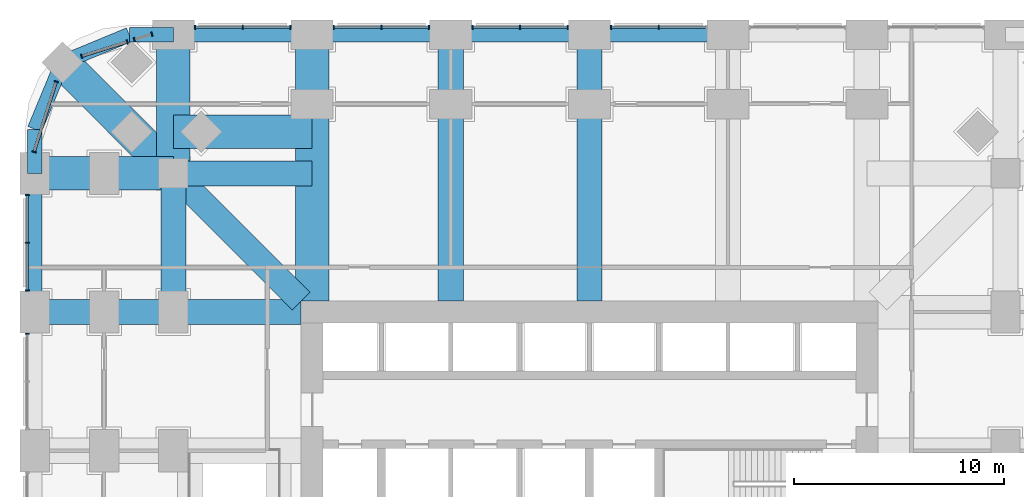
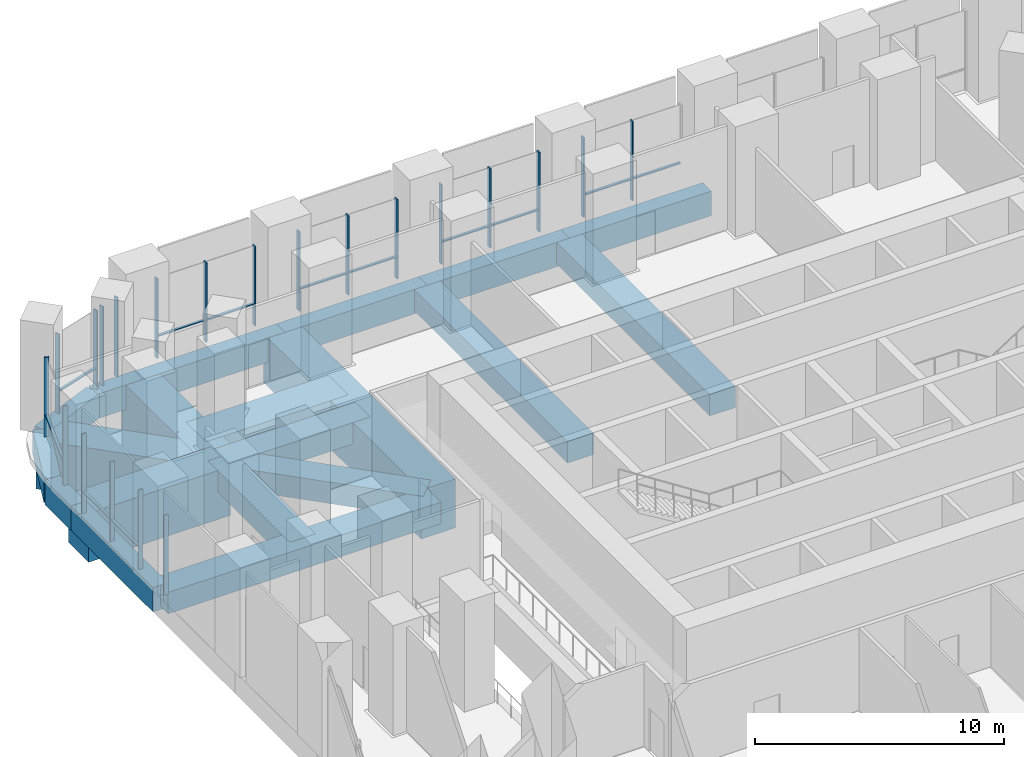
# One storey, part 5 of 17: 33 members, 20 beams, 9 elements without a shape of their own.
"""IFC4 building model written with IfcOpenShell, lengths in metres."""

from ifc_helpers import new_model, si_unit, direction, frame, origin, origin_2d, place, context, subcontext, project, spatial, rectangle, extrude, material, material_profile, profile_set, type_object, element, aggregate, save


model = new_model("IFC4")

# Units and contexts
model_context = context("Model", 3, precision=1e-05, world=origin(), true_north=direction((0.0, 1.0)))
body_context = subcontext(model_context, "Body", "Model", "MODEL_VIEW")
ifc_project = project(units=[si_unit("LENGTHUNIT", "METRE"), si_unit("AREAUNIT", "SQUARE_METRE"), si_unit("VOLUMEUNIT", "CUBIC_METRE"), si_unit("PLANEANGLEUNIT", "RADIAN"), si_unit("MASSUNIT", "GRAM", prefix="KILO")], contexts=[model_context])

# Site, building, storey
site_placement = place(None, origin())
site = spatial("IfcSite", under=ifc_project, at=site_placement, CompositionType="ELEMENT")
building_placement = place(site_placement, origin())
building = spatial("IfcBuilding", under=site, at=building_placement, Name="Cobogo Forest Laboratory Tower", CompositionType="ELEMENT")
storey_placement = place(building_placement, frame((0.0, 0.0, 7.199951171875)))
storey = spatial("IfcBuildingStorey", under=building, at=storey_placement, Name="L01", CompositionType="ELEMENT", Elevation=7.199951171875)

# Beams
ifc_material_1 = material(Name="Concrete HA-40 (C40/50)", Category="concrete")
ifc_material_profile_1 = material_profile(ifc_material_1, rectangle(XDim=1.199951171875, YDim=1.050048828125, at=origin_2d()), Name="RC 1200x1050")
ifc_profile_set_1 = profile_set([ifc_material_profile_1], Name="Concrete HA-40 (C40/50)")
beam_type_1 = type_object("IfcBeamType", Name="Laboratory floor wide beam 1200x1050", PredefinedType="BEAM", material=ifc_profile_set_1)
for number, where, z_axis, x_axis, name in (
    (1, (19.800048828125, 33.52490234375, -0.824951171875), (0.0, 1.0, 0.0), (-1.0, 0.0, 0.0), "RB1 R-4-N L01"),
    (2, (26.39990234375, 33.52490234375, -0.824951171875), (0.0, 1.0, 0.0), (-1.0, 0.0, 0.0), "RB1 R-5-N L01"),
    (3, (12.675048828125, 33.0, -0.824951171875), (-1.0, 0.0, 0.0), (0.0, -1.0, 0.0), "RB1 R-F-W L01"),
):
    element("IfcBeam", number, at=place(storey_placement, frame(where, z_axis=z_axis, x_axis=x_axis)), inside=storey, type_object=beam_type_1, Name=name, PredefinedType="BEAM", context=body_context, shape_type="SweptSolid", body=[
        extrude(rectangle(XDim=1.199951171875, YDim=1.050048828125, at=origin_2d()), origin(), (0.0, 0.0, 1.0), 12.675048828125),
    ])
beam_1_placement = place(storey_placement, frame((6.60009765625, 39.60009765625, -0.824951171875), z_axis=(0.0, -1.0, 0.0), x_axis=(1.0, 0.0, 0.0)))
element("IfcBeam", 4, at=beam_1_placement, inside=storey, type_object=beam_type_1, Name="RB1 G-NW-XC L01", PredefinedType="BEAM", context=body_context, shape_type="SweptSolid", body=[
    extrude(rectangle(XDim=1.199951171875, YDim=1.050048828125, at=origin_2d()), origin(), (0.0, 0.0, 1.0), 6.60009765625),
])
beam_2_placement = place(storey_placement, frame((6.60009765625, 39.60009765625, -0.824951171875), z_axis=(1.0, 0.0, 0.0), x_axis=(0.0, 1.0, 0.0)))
element("IfcBeam", 5, at=beam_2_placement, inside=storey, type_object=beam_type_1, Name="RB1 G-NW-YC L01", PredefinedType="BEAM", context=body_context, shape_type="SweptSolid", body=[
    extrude(rectangle(XDim=1.199951171875, YDim=1.050048828125, at=origin_2d()), origin(), (0.0, 0.0, 1.0), 6.599853515625),
])
beam_3_placement = place(storey_placement, frame((6.60009765625, 39.60009765625, -0.824951171875), z_axis=(0.707092572697, -0.70712098939, 0.0), x_axis=(0.70712098939, 0.707092572697, 0.0)))
element("IfcBeam", 6, at=beam_3_placement, inside=storey, type_object=beam_type_1, Name="RB1 G-NW-D2 L01", PredefinedType="BEAM", context=body_context, shape_type="SweptSolid", body=[
    extrude(rectangle(XDim=1.199951171875, YDim=1.050048828125, at=origin_2d()), origin(), (0.0, 0.0, 1.0), 8.591552734375),
])

# Curtain wall, members
ifc_material_2 = material(Name="Aluminium curtain wall", Category="aluminium")
curtain_wall_type = type_object("IfcCurtainWallType", Name="CW-K stick curtain wall, podium laboratories", PredefinedType="USERDEFINED", material=ifc_material_2)
curtain_wall_1_placement = place(storey_placement, origin())
curtain_wall_1 = element("IfcCurtainWall", 7, at=curtain_wall_1_placement, inside=storey, type_object=curtain_wall_type, Name="Curtain wall 20 L01", ObjectType="STICK CURTAIN WALL", PredefinedType="USERDEFINED")
ifc_material_3 = material(Name="Aluminium mullion", Category="aluminium")
ifc_material_profile_2 = material_profile(ifc_material_3, rectangle(XDim=0.06005859375, YDim=0.199951171875, at=origin_2d()), Name="AL 60x200")
ifc_profile_set_2 = profile_set([ifc_material_profile_2], Name="Aluminium mullion")
member_type_1 = type_object("IfcMemberType", Name="MU-2 aluminium mullion 60x200", PredefinedType="MULLION", material=ifc_profile_set_2)
member_1_placement = place(storey_placement, frame((29.699951171875, 46.550048828125, 0.0), z_axis=(0.0, 0.0, 1.0), x_axis=(-1.0, 0.0, 0.0)))
member_1 = element("IfcMember", 8, at=member_1_placement, type_object=member_type_1, Name="CW-K mullion 2", PredefinedType="MULLION", context=body_context, shape_type="SweptSolid", body=[
    extrude(rectangle(XDim=0.06005859375, YDim=0.199951171875, at=origin_2d()), origin(), (0.0, 0.0, 1.0), 3.900146484375),
])
member_2_placement = place(storey_placement, frame((27.429931640625, 46.550048828125, 0.0), z_axis=(0.0, 0.0, 1.0), x_axis=(-1.0, 0.0, 0.0)))
member_2 = element("IfcMember", 9, at=member_2_placement, type_object=member_type_1, Name="CW-K mullion 3", PredefinedType="MULLION", context=body_context, shape_type="SweptSolid", body=[
    extrude(rectangle(XDim=0.06005859375, YDim=0.199951171875, at=origin_2d()), origin(), (0.0, 0.0, 1.0), 3.900146484375),
])

curtain_wall_2_placement = place(storey_placement, origin())
curtain_wall_2 = element("IfcCurtainWall", 10, at=curtain_wall_2_placement, inside=storey, type_object=curtain_wall_type, Name="Curtain wall 21 L01", ObjectType="STICK CURTAIN WALL", PredefinedType="USERDEFINED")
member_3_placement = place(storey_placement, frame((25.3701171875, 46.550048828125, 0.0), z_axis=(0.0, 0.0, 1.0), x_axis=(-1.0, 0.0, 0.0)))
member_3 = element("IfcMember", 11, at=member_3_placement, type_object=member_type_1, Name="CW-K mullion 1", PredefinedType="MULLION", context=body_context, shape_type="SweptSolid", body=[
    extrude(rectangle(XDim=0.06005859375, YDim=0.199951171875, at=origin_2d()), origin(), (0.0, 0.0, 1.0), 3.900146484375),
])
member_4_placement = place(storey_placement, frame((23.10009765625, 46.550048828125, 0.0), z_axis=(0.0, 0.0, 1.0), x_axis=(-1.0, 0.0, 0.0)))
member_4 = element("IfcMember", 12, at=member_4_placement, type_object=member_type_1, Name="CW-K mullion 2", PredefinedType="MULLION", context=body_context, shape_type="SweptSolid", body=[
    extrude(rectangle(XDim=0.06005859375, YDim=0.199951171875, at=origin_2d()), origin(), (0.0, 0.0, 1.0), 3.900146484375),
])
member_5_placement = place(storey_placement, frame((20.830078125, 46.550048828125, 0.0), z_axis=(0.0, 0.0, 1.0), x_axis=(-1.0, 0.0, 0.0)))
member_5 = element("IfcMember", 13, at=member_5_placement, type_object=member_type_1, Name="CW-K mullion 3", PredefinedType="MULLION", context=body_context, shape_type="SweptSolid", body=[
    extrude(rectangle(XDim=0.06005859375, YDim=0.199951171875, at=origin_2d()), origin(), (0.0, 0.0, 1.0), 3.900146484375),
])

curtain_wall_3_placement = place(storey_placement, origin())
curtain_wall_3 = element("IfcCurtainWall", 14, at=curtain_wall_3_placement, inside=storey, type_object=curtain_wall_type, Name="Curtain wall 22 L01", ObjectType="STICK CURTAIN WALL", PredefinedType="USERDEFINED")
member_6_placement = place(storey_placement, frame((18.77001953125, 46.550048828125, 0.0), z_axis=(0.0, 0.0, 1.0), x_axis=(-1.0, 0.0, 0.0)))
member_6 = element("IfcMember", 15, at=member_6_placement, type_object=member_type_1, Name="CW-K mullion 1", PredefinedType="MULLION", context=body_context, shape_type="SweptSolid", body=[
    extrude(rectangle(XDim=0.06005859375, YDim=0.199951171875, at=origin_2d()), origin(), (0.0, 0.0, 1.0), 3.900146484375),
])
member_7_placement = place(storey_placement, frame((16.5, 46.550048828125, 0.0), z_axis=(0.0, 0.0, 1.0), x_axis=(-1.0, 0.0, 0.0)))
member_7 = element("IfcMember", 16, at=member_7_placement, type_object=member_type_1, Name="CW-K mullion 2", PredefinedType="MULLION", context=body_context, shape_type="SweptSolid", body=[
    extrude(rectangle(XDim=0.06005859375, YDim=0.199951171875, at=origin_2d()), origin(), (0.0, 0.0, 1.0), 3.900146484375),
])
member_8_placement = place(storey_placement, frame((14.22998046875, 46.550048828125, 0.0), z_axis=(0.0, 0.0, 1.0), x_axis=(-1.0, 0.0, 0.0)))
member_8 = element("IfcMember", 17, at=member_8_placement, type_object=member_type_1, Name="CW-K mullion 3", PredefinedType="MULLION", context=body_context, shape_type="SweptSolid", body=[
    extrude(rectangle(XDim=0.06005859375, YDim=0.199951171875, at=origin_2d()), origin(), (0.0, 0.0, 1.0), 3.900146484375),
])

curtain_wall_4_placement = place(storey_placement, origin())
curtain_wall_4 = element("IfcCurtainWall", 18, at=curtain_wall_4_placement, inside=storey, type_object=curtain_wall_type, Name="Curtain wall 23 L01", ObjectType="STICK CURTAIN WALL", PredefinedType="USERDEFINED")
member_9_placement = place(storey_placement, frame((12.169921875, 46.550048828125, 0.0), z_axis=(0.0, 0.0, 1.0), x_axis=(-1.0, 0.0, 0.0)))
member_9 = element("IfcMember", 19, at=member_9_placement, type_object=member_type_1, Name="CW-K mullion 1", PredefinedType="MULLION", context=body_context, shape_type="SweptSolid", body=[
    extrude(rectangle(XDim=0.06005859375, YDim=0.199951171875, at=origin_2d()), origin(), (0.0, 0.0, 1.0), 3.900146484375),
])
member_10_placement = place(storey_placement, frame((9.89990234375, 46.550048828125, 0.0), z_axis=(0.0, 0.0, 1.0), x_axis=(-1.0, 0.0, 0.0)))
member_10 = element("IfcMember", 20, at=member_10_placement, type_object=member_type_1, Name="CW-K mullion 2", PredefinedType="MULLION", context=body_context, shape_type="SweptSolid", body=[
    extrude(rectangle(XDim=0.06005859375, YDim=0.199951171875, at=origin_2d()), origin(), (0.0, 0.0, 1.0), 3.900146484375),
])
member_11_placement = place(storey_placement, frame((7.6298828125, 46.550048828125, 0.0), z_axis=(0.0, 0.0, 1.0), x_axis=(-1.0, 0.0, 0.0)))
member_11 = element("IfcMember", 21, at=member_11_placement, type_object=member_type_1, Name="CW-K mullion 3", PredefinedType="MULLION", context=body_context, shape_type="SweptSolid", body=[
    extrude(rectangle(XDim=0.06005859375, YDim=0.199951171875, at=origin_2d()), origin(), (0.0, 0.0, 1.0), 3.900146484375),
])

curtain_wall_5_placement = place(storey_placement, origin())
curtain_wall_5 = element("IfcCurtainWall", 22, at=curtain_wall_5_placement, inside=storey, type_object=curtain_wall_type, Name="Curtain wall 24 L01", ObjectType="STICK CURTAIN WALL", PredefinedType="USERDEFINED")
member_12_placement = place(storey_placement, frame((5.5712890625, 46.22509765625, 0.0), z_axis=(0.0, 0.0, 1.0), x_axis=(-0.953581406818, -0.301135352577, 0.0)))
member_12 = element("IfcMember", 23, at=member_12_placement, type_object=member_type_1, Name="CW-K mullion 1", PredefinedType="MULLION", context=body_context, shape_type="SweptSolid", body=[
    extrude(rectangle(XDim=0.06005859375, YDim=0.199951171875, at=origin_2d()), origin(), (0.0, 0.0, 1.0), 3.900146484375),
])
member_13_placement = place(storey_placement, frame((4.74658203125, 45.96484375, 0.0), z_axis=(0.0, 0.0, 1.0), x_axis=(-0.953581406818, -0.301135352577, 0.0)))
member_13 = element("IfcMember", 24, at=member_13_placement, type_object=member_type_1, Name="CW-K mullion 2", PredefinedType="MULLION", context=body_context, shape_type="SweptSolid", body=[
    extrude(rectangle(XDim=0.06005859375, YDim=0.199951171875, at=origin_2d()), origin(), (0.0, 0.0, 1.0), 3.900146484375),
])
aggregate(curtain_wall_5, [member_12, member_13])

curtain_wall_6_placement = place(storey_placement, origin())
curtain_wall_6 = element("IfcCurtainWall", 25, at=curtain_wall_6_placement, inside=storey, type_object=curtain_wall_type, Name="Curtain wall 25 L01", ObjectType="STICK CURTAIN WALL", PredefinedType="USERDEFINED")
member_14_placement = place(storey_placement, frame((4.39697265625, 45.854248046875, 0.0), z_axis=(0.0, 0.0, 1.0), x_axis=(-0.953581409645, -0.301135343623, 0.0)))
member_14 = element("IfcMember", 26, at=member_14_placement, type_object=member_type_1, Name="CW-K mullion 1", PredefinedType="MULLION", context=body_context, shape_type="SweptSolid", body=[
    extrude(rectangle(XDim=0.06005859375, YDim=0.199951171875, at=origin_2d()), origin(), (0.0, 0.0, 1.0), 3.900146484375),
])
member_15_placement = place(storey_placement, frame((2.23876953125, 45.1728515625, 0.0), z_axis=(0.0, 0.0, 1.0), x_axis=(-0.953581409645, -0.301135343623, 0.0)))
member_15 = element("IfcMember", 27, at=member_15_placement, type_object=member_type_1, Name="CW-K mullion 2", PredefinedType="MULLION", context=body_context, shape_type="SweptSolid", body=[
    extrude(rectangle(XDim=0.06005859375, YDim=0.199951171875, at=origin_2d()), origin(), (0.0, 0.0, 1.0), 3.900146484375),
])

curtain_wall_7_placement = place(storey_placement, origin())
curtain_wall_7 = element("IfcCurtainWall", 28, at=curtain_wall_7_placement, inside=storey, type_object=curtain_wall_type, Name="Curtain wall 26 L01", ObjectType="STICK CURTAIN WALL", PredefinedType="USERDEFINED")
member_16_placement = place(storey_placement, frame((1.02734375, 43.961181640625, 0.0), z_axis=(0.0, 0.0, 1.0), x_axis=(-0.301135433696, -0.953581381201, 0.0)))
member_16 = element("IfcMember", 29, at=member_16_placement, type_object=member_type_1, Name="CW-K mullion 1", PredefinedType="MULLION", context=body_context, shape_type="SweptSolid", body=[
    extrude(rectangle(XDim=0.06005859375, YDim=0.199951171875, at=origin_2d()), origin(), (0.0, 0.0, 1.0), 3.900146484375),
])
member_17_placement = place(storey_placement, frame((-0.025146484375, 40.628662109375, 0.0), z_axis=(0.0, 0.0, 1.0), x_axis=(-0.301135433696, -0.953581381201, 0.0)))
member_17 = element("IfcMember", 30, at=member_17_placement, type_object=member_type_1, Name="CW-K mullion 2", PredefinedType="MULLION", context=body_context, shape_type="SweptSolid", body=[
    extrude(rectangle(XDim=0.06005859375, YDim=0.199951171875, at=origin_2d()), origin(), (0.0, 0.0, 1.0), 3.900146484375),
])

curtain_wall_8_placement = place(storey_placement, origin())
curtain_wall_8 = element("IfcCurtainWall", 31, at=curtain_wall_8_placement, inside=storey, type_object=curtain_wall_type, Name="Curtain wall 27 L01", ObjectType="STICK CURTAIN WALL", PredefinedType="USERDEFINED")
member_18_placement = place(storey_placement, frame((-0.35009765625, 38.570068359375, 0.0), z_axis=(0.0, 0.0, 1.0), x_axis=(0.0, -1.0, 0.0)))
member_18 = element("IfcMember", 32, at=member_18_placement, type_object=member_type_1, Name="CW-K mullion 1", PredefinedType="MULLION", context=body_context, shape_type="SweptSolid", body=[
    extrude(rectangle(XDim=0.06005859375, YDim=0.199951171875, at=origin_2d()), origin(), (0.0, 0.0, 1.0), 3.900146484375),
])
member_19_placement = place(storey_placement, frame((-0.35009765625, 36.300048828125, 0.0), z_axis=(0.0, 0.0, 1.0), x_axis=(0.0, -1.0, 0.0)))
member_19 = element("IfcMember", 33, at=member_19_placement, type_object=member_type_1, Name="CW-K mullion 2", PredefinedType="MULLION", context=body_context, shape_type="SweptSolid", body=[
    extrude(rectangle(XDim=0.06005859375, YDim=0.199951171875, at=origin_2d()), origin(), (0.0, 0.0, 1.0), 3.900146484375),
])
member_20_placement = place(storey_placement, frame((-0.35009765625, 34.030029296875, 0.0), z_axis=(0.0, 0.0, 1.0), x_axis=(0.0, -1.0, 0.0)))
member_20 = element("IfcMember", 34, at=member_20_placement, type_object=member_type_1, Name="CW-K mullion 3", PredefinedType="MULLION", context=body_context, shape_type="SweptSolid", body=[
    extrude(rectangle(XDim=0.06005859375, YDim=0.199951171875, at=origin_2d()), origin(), (0.0, 0.0, 1.0), 3.900146484375),
])

# Curtain wall, member
curtain_wall_9_placement = place(storey_placement, origin())
curtain_wall_9 = element("IfcCurtainWall", 35, at=curtain_wall_9_placement, inside=storey, type_object=curtain_wall_type, Name="Curtain wall 28 L01", ObjectType="STICK CURTAIN WALL", PredefinedType="USERDEFINED")
member_21_placement = place(storey_placement, frame((-0.35009765625, 31.969970703125, 0.0), z_axis=(0.0, 0.0, 1.0), x_axis=(0.0, -1.0, 0.0)))
member_21 = element("IfcMember", 36, at=member_21_placement, type_object=member_type_1, Name="CW-K mullion 1", PredefinedType="MULLION", context=body_context, shape_type="SweptSolid", body=[
    extrude(rectangle(XDim=0.06005859375, YDim=0.199951171875, at=origin_2d()), origin(), (0.0, 0.0, 1.0), 3.900146484375),
])
aggregate(curtain_wall_9, [member_21])

# Beams
ifc_material_profile_3 = material_profile(ifc_material_1, rectangle(XDim=0.699951171875, YDim=1.199951171875, at=origin_2d()), Name="RC 700x1200")
ifc_profile_set_3 = profile_set([ifc_material_profile_3], Name="Concrete HA-40 (C40/50)")
beam_type_2 = type_object("IfcBeamType", Name="Perimeter edge beam 700x1200", PredefinedType="BEAM", material=ifc_profile_set_3)
beam_4_placement = place(storey_placement, frame((6.60009765625, 46.199951171875, -0.89990234375), z_axis=(1.0, 0.0, 0.0), x_axis=(0.0, 1.0, 0.0)))
element("IfcBeam", 37, at=beam_4_placement, inside=storey, type_object=beam_type_2, Name="EB1 E-N1 L01", PredefinedType="BEAM", context=body_context, shape_type="SweptSolid", body=[
    extrude(rectangle(XDim=0.699951171875, YDim=1.199951171875, at=origin_2d()), origin(), (0.0, 0.0, 1.0), 6.599853515625),
])
beam_5_placement = place(storey_placement, frame((13.199951171875, 46.199951171875, -0.89990234375), z_axis=(1.0, 0.0, 0.0), x_axis=(0.0, 1.0, 0.0)))
element("IfcBeam", 38, at=beam_5_placement, inside=storey, type_object=beam_type_2, Name="EB1 E-N2 L01", PredefinedType="BEAM", context=body_context, shape_type="SweptSolid", body=[
    extrude(rectangle(XDim=0.699951171875, YDim=1.199951171875, at=origin_2d()), origin(), (0.0, 0.0, 1.0), 6.60009765625),
])
beam_6_placement = place(storey_placement, frame((19.800048828125, 46.199951171875, -0.89990234375), z_axis=(1.0, 0.0, 0.0), x_axis=(0.0, 1.0, 0.0)))
element("IfcBeam", 39, at=beam_6_placement, inside=storey, type_object=beam_type_2, Name="EB1 E-N3 L01", PredefinedType="BEAM", context=body_context, shape_type="SweptSolid", body=[
    extrude(rectangle(XDim=0.699951171875, YDim=1.199951171875, at=origin_2d()), origin(), (0.0, 0.0, 1.0), 6.599853515625),
])
for number, where, z_axis, x_axis, name in (
    (40, (26.39990234375, 46.199951171875, -0.89990234375), (1.0, 0.0, 0.0), (0.0, 1.0, 0.0), "EB1 E-N4 L01"),
    (41, (0.0, 33.0, -0.89990234375), (0.0, 1.0, 0.0), (-1.0, 0.0, 0.0), "EB1 E-W5 L01"),
):
    element("IfcBeam", number, at=place(storey_placement, frame(where, z_axis=z_axis, x_axis=x_axis)), inside=storey, type_object=beam_type_2, Name=name, PredefinedType="BEAM", context=body_context, shape_type="SweptSolid", body=[
        extrude(rectangle(XDim=0.699951171875, YDim=1.199951171875, at=origin_2d()), origin(), (0.0, 0.0, 1.0), 6.60009765625),
    ])
beam_7_placement = place(storey_placement, frame((6.60009765625, 46.199951171875, -0.89990234375), z_axis=(-1.0, 0.0, 0.0), x_axis=(0.0, -1.0, 0.0)))
element("IfcBeam", 42, at=beam_7_placement, inside=storey, type_object=beam_type_2, Name="EB1 E-NWN1 L01", PredefinedType="BEAM", context=body_context, shape_type="SweptSolid", body=[
    extrude(rectangle(XDim=0.699951171875, YDim=1.199951171875, at=origin_2d()), origin(), (0.0, 0.0, 1.0), 2.10009765625),
])
beam_8_placement = place(storey_placement, frame((4.5, 46.199951171875, -0.89990234375), z_axis=(-0.923890694089, -0.382656484822, 0.0), x_axis=(0.382656484822, -0.923890694089, 0.0)))
element("IfcBeam", 43, at=beam_8_placement, inside=storey, type_object=beam_type_2, Name="EB1 E-NWN2 L01", PredefinedType="BEAM", context=body_context, shape_type="SweptSolid", body=[
    extrude(rectangle(XDim=0.699951171875, YDim=1.199951171875, at=origin_2d()), origin(), (0.0, 0.0, 1.0), 3.444091796875),
])
beam_9_placement = place(storey_placement, frame((0.0, 39.60009765625, -0.89990234375), z_axis=(0.0, 1.0, 0.0), x_axis=(-1.0, 0.0, 0.0)))
element("IfcBeam", 44, at=beam_9_placement, inside=storey, type_object=beam_type_2, Name="EB1 E-NWW1 L01", PredefinedType="BEAM", context=body_context, shape_type="SweptSolid", body=[
    extrude(rectangle(XDim=0.699951171875, YDim=1.199951171875, at=origin_2d()), origin(), (0.0, 0.0, 1.0), 2.099853515625),
])
beam_10_placement = place(storey_placement, frame((0.0, 41.699951171875, -0.89990234375), z_axis=(0.382691928466, 0.923876013265, 0.0), x_axis=(-0.923876013265, 0.382691928466, 0.0)))
element("IfcBeam", 45, at=beam_10_placement, inside=storey, type_object=beam_type_2, Name="EB1 E-NWW2 L01", PredefinedType="BEAM", context=body_context, shape_type="SweptSolid", body=[
    extrude(rectangle(XDim=0.699951171875, YDim=1.199951171875, at=origin_2d()), origin(), (0.0, 0.0, 1.0), 3.4443359375),
])
ifc_material_4 = material(Name="Concrete HA-50 (C50/60)", Category="concrete")
ifc_material_profile_4 = material_profile(ifc_material_4, rectangle(XDim=1.60009765625, YDim=2.39990234375, at=origin_2d()), Name="RC 1600x2400")
ifc_profile_set_4 = profile_set([ifc_material_profile_4], Name="Concrete HA-50 (C50/60)")
beam_type_3 = type_object("IfcBeamType", Name="Podium transfer girder 1600x2400", PredefinedType="BEAM", material=ifc_profile_set_4)
beam_11_placement = place(storey_placement, frame((13.199951171875, 33.52490234375, -1.5), z_axis=(0.0, 1.0, 0.0), x_axis=(-1.0, 0.0, 0.0)))
element("IfcBeam", 46, at=beam_11_placement, inside=storey, type_object=beam_type_3, Name="TG4 R-3-N L01", PredefinedType="BEAM", context=body_context, shape_type="SweptSolid", body=[
    extrude(rectangle(XDim=1.60009765625, YDim=2.39990234375, at=origin_2d()), origin(), (0.0, 0.0, 1.0), 12.675048828125),
])
beam_12_placement = place(storey_placement, frame((6.60009765625, 46.199951171875, -1.5), z_axis=(0.0, -1.0, 0.0), x_axis=(1.0, 0.0, 0.0)))
element("IfcBeam", 47, at=beam_12_placement, inside=storey, type_object=beam_type_3, Name="TG4 G-NW-XF L01", PredefinedType="BEAM", context=body_context, shape_type="SweptSolid", body=[
    extrude(rectangle(XDim=1.60009765625, YDim=2.39990234375, at=origin_2d()), origin(), (0.0, 0.0, 1.0), 6.599853515625),
])
beam_13_placement = place(storey_placement, frame((0.0, 39.60009765625, -1.5), z_axis=(1.0, 0.0, 0.0), x_axis=(0.0, 1.0, 0.0)))
element("IfcBeam", 48, at=beam_13_placement, inside=storey, type_object=beam_type_3, Name="TG4 G-NW-YF L01", PredefinedType="BEAM", context=body_context, shape_type="SweptSolid", body=[
    extrude(rectangle(XDim=1.60009765625, YDim=2.39990234375, at=origin_2d()), origin(), (0.0, 0.0, 1.0), 6.60009765625),
])
beam_14_placement = place(storey_placement, frame((1.318115234375, 44.882080078125, -1.5), z_axis=(0.707106781187, -0.707106781187, 0.0), x_axis=(0.707106781187, 0.707106781187, 0.0)))
element("IfcBeam", 49, at=beam_14_placement, inside=storey, type_object=beam_type_3, Name="TG4 G-NW-D1 L01", PredefinedType="BEAM", context=body_context, shape_type="SweptSolid", body=[
    extrude(rectangle(XDim=1.60009765625, YDim=2.39990234375, at=origin_2d()), origin(), (0.0, 0.0, 1.0), 7.469970703125),
])
beam_15_placement = place(storey_placement, frame((6.60009765625, 41.58203125, -1.5), z_axis=(1.0, 0.0, 0.0), x_axis=(0.0, 1.0, 0.0)))
element("IfcBeam", 50, at=beam_15_placement, inside=storey, type_object=beam_type_3, Name="TG4 T-CNR-NW-D L01", PredefinedType="BEAM", context=body_context, shape_type="SweptSolid", body=[
    extrude(rectangle(XDim=1.60009765625, YDim=2.39990234375, at=origin_2d()), origin(), (0.0, 0.0, 1.0), 6.599853515625),
])

# Member
ifc_material_5 = material(Name="Aluminium transom", Category="aluminium")
ifc_material_profile_5 = material_profile(ifc_material_5, rectangle(XDim=0.1201171875, YDim=0.06005859375, at=origin_2d()), Name="AL 60x120")
ifc_profile_set_5 = profile_set([ifc_material_profile_5], Name="Aluminium transom")
member_type_2 = type_object("IfcMemberType", Name="TR-1 aluminium transom 60x120", PredefinedType="USERDEFINED", material=ifc_profile_set_5)
member_22_placement = place(storey_placement, frame((31.93994140625, 46.550048828125, 1.050048828125), z_axis=(-1.0, 0.0, 0.0), x_axis=(0.0, -1.0, 0.0)))
member_22 = element("IfcMember", 51, at=member_22_placement, type_object=member_type_2, Name="CW-K transom 1.1", ObjectType="TRANSOM", PredefinedType="USERDEFINED", context=body_context, shape_type="SweptSolid", body=[
    extrude(rectangle(XDim=0.1201171875, YDim=0.06005859375, at=origin_2d()), origin(), (0.0, 0.0, 1.0), 2.2099609375),
])

member_23_placement = place(storey_placement, frame((29.669921875, 46.550048828125, 1.050048828125), z_axis=(-1.0, 0.0, 0.0), x_axis=(0.0, -1.0, 0.0)))
member_23 = element("IfcMember", 52, at=member_23_placement, type_object=member_type_2, Name="CW-K transom 2.1", ObjectType="TRANSOM", PredefinedType="USERDEFINED", context=body_context, shape_type="SweptSolid", body=[
    extrude(rectangle(XDim=0.1201171875, YDim=0.06005859375, at=origin_2d()), origin(), (0.0, 0.0, 1.0), 2.2099609375),
])

aggregate(curtain_wall_1, [member_1, member_2, member_22, member_23])

member_24_placement = place(storey_placement, frame((25.340087890625, 46.550048828125, 1.050048828125), z_axis=(-1.0, 0.0, 0.0), x_axis=(0.0, -1.0, 0.0)))
member_24 = element("IfcMember", 53, at=member_24_placement, type_object=member_type_2, Name="CW-K transom 1.1", ObjectType="TRANSOM", PredefinedType="USERDEFINED", context=body_context, shape_type="SweptSolid", body=[
    extrude(rectangle(XDim=0.1201171875, YDim=0.06005859375, at=origin_2d()), origin(), (0.0, 0.0, 1.0), 2.210205078125),
])

member_25_placement = place(storey_placement, frame((23.070068359375, 46.550048828125, 1.050048828125), z_axis=(-1.0, 0.0, 0.0), x_axis=(0.0, -1.0, 0.0)))
member_25 = element("IfcMember", 54, at=member_25_placement, type_object=member_type_2, Name="CW-K transom 2.1", ObjectType="TRANSOM", PredefinedType="USERDEFINED", context=body_context, shape_type="SweptSolid", body=[
    extrude(rectangle(XDim=0.1201171875, YDim=0.06005859375, at=origin_2d()), origin(), (0.0, 0.0, 1.0), 2.2099609375),
])

aggregate(curtain_wall_2, [member_3, member_4, member_5, member_24, member_25])

member_26_placement = place(storey_placement, frame((18.739990234375, 46.550048828125, 1.050048828125), z_axis=(-1.0, 0.0, 0.0), x_axis=(0.0, -1.0, 0.0)))
member_26 = element("IfcMember", 55, at=member_26_placement, type_object=member_type_2, Name="CW-K transom 1.1", ObjectType="TRANSOM", PredefinedType="USERDEFINED", context=body_context, shape_type="SweptSolid", body=[
    extrude(rectangle(XDim=0.1201171875, YDim=0.06005859375, at=origin_2d()), origin(), (0.0, 0.0, 1.0), 2.2099609375),
])

member_27_placement = place(storey_placement, frame((16.469970703125, 46.550048828125, 1.050048828125), z_axis=(-1.0, 0.0, 0.0), x_axis=(0.0, -1.0, 0.0)))
member_27 = element("IfcMember", 56, at=member_27_placement, type_object=member_type_2, Name="CW-K transom 2.1", ObjectType="TRANSOM", PredefinedType="USERDEFINED", context=body_context, shape_type="SweptSolid", body=[
    extrude(rectangle(XDim=0.1201171875, YDim=0.06005859375, at=origin_2d()), origin(), (0.0, 0.0, 1.0), 2.2099609375),
])

aggregate(curtain_wall_3, [member_6, member_7, member_8, member_26, member_27])

member_28_placement = place(storey_placement, frame((12.139892578125, 46.550048828125, 1.050048828125), z_axis=(-1.0, 0.0, 0.0), x_axis=(0.0, -1.0, 0.0)))
member_28 = element("IfcMember", 57, at=member_28_placement, type_object=member_type_2, Name="CW-K transom 1.1", ObjectType="TRANSOM", PredefinedType="USERDEFINED", context=body_context, shape_type="SweptSolid", body=[
    extrude(rectangle(XDim=0.1201171875, YDim=0.06005859375, at=origin_2d()), origin(), (0.0, 0.0, 1.0), 2.2099609375),
])

member_29_placement = place(storey_placement, frame((9.8701171875, 46.550048828125, 1.050048828125), z_axis=(-1.0, 0.0, 0.0), x_axis=(0.0, -1.0, 0.0)))
member_29 = element("IfcMember", 58, at=member_29_placement, type_object=member_type_2, Name="CW-K transom 2.1", ObjectType="TRANSOM", PredefinedType="USERDEFINED", context=body_context, shape_type="SweptSolid", body=[
    extrude(rectangle(XDim=0.1201171875, YDim=0.06005859375, at=origin_2d()), origin(), (0.0, 0.0, 1.0), 2.210205078125),
])

aggregate(curtain_wall_4, [member_9, member_10, member_11, member_28, member_29])

member_30_placement = place(storey_placement, frame((4.368408203125, 45.84521484375, 1.050048828125), z_axis=(-0.953604433273, -0.301062426819, 0.0), x_axis=(0.301062426819, -0.953604433273, 0.0)))
member_30 = element("IfcMember", 59, at=member_30_placement, type_object=member_type_2, Name="CW-K transom 1.1", ObjectType="TRANSOM", PredefinedType="USERDEFINED", context=body_context, shape_type="SweptSolid", body=[
    extrude(rectangle(XDim=0.1201171875, YDim=0.06005859375, at=origin_2d()), origin(), (0.0, 0.0, 1.0), 2.203369140625),
])

aggregate(curtain_wall_6, [member_14, member_15, member_30])

member_31_placement = place(storey_placement, frame((1.018310546875, 43.9326171875, 1.050048828125), z_axis=(-0.301155179686, -0.953575145308, 0.0), x_axis=(0.953575145308, -0.301155179686, 0.0)))
member_31 = element("IfcMember", 60, at=member_31_placement, type_object=member_type_2, Name="CW-K transom 1.1", ObjectType="TRANSOM", PredefinedType="USERDEFINED", context=body_context, shape_type="SweptSolid", body=[
    extrude(rectangle(XDim=0.1201171875, YDim=0.06005859375, at=origin_2d()), origin(), (0.0, 0.0, 1.0), 3.434814453125),
])

aggregate(curtain_wall_7, [member_16, member_17, member_31])

member_32_placement = place(storey_placement, frame((-0.35009765625, 38.5400390625, 1.050048828125), z_axis=(0.0, -1.0, 0.0), x_axis=(1.0, 0.0, 0.0)))
member_32 = element("IfcMember", 61, at=member_32_placement, type_object=member_type_2, Name="CW-K transom 1.1", ObjectType="TRANSOM", PredefinedType="USERDEFINED", context=body_context, shape_type="SweptSolid", body=[
    extrude(rectangle(XDim=0.1201171875, YDim=0.06005859375, at=origin_2d()), origin(), (0.0, 0.0, 1.0), 2.2099609375),
])

member_33_placement = place(storey_placement, frame((-0.35009765625, 36.27001953125, 1.050048828125), z_axis=(0.0, -1.0, 0.0), x_axis=(1.0, 0.0, 0.0)))
member_33 = element("IfcMember", 62, at=member_33_placement, type_object=member_type_2, Name="CW-K transom 2.1", ObjectType="TRANSOM", PredefinedType="USERDEFINED", context=body_context, shape_type="SweptSolid", body=[
    extrude(rectangle(XDim=0.1201171875, YDim=0.06005859375, at=origin_2d()), origin(), (0.0, 0.0, 1.0), 2.2099609375),
])

aggregate(curtain_wall_8, [member_18, member_19, member_20, member_32, member_33])

save(model, "model.ifc")
